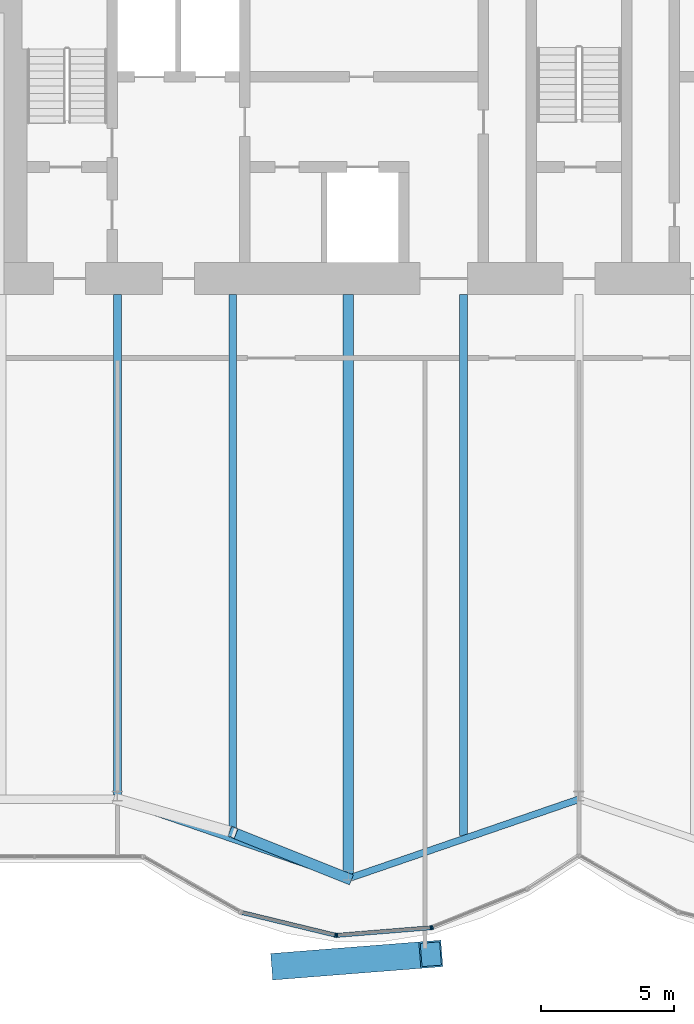
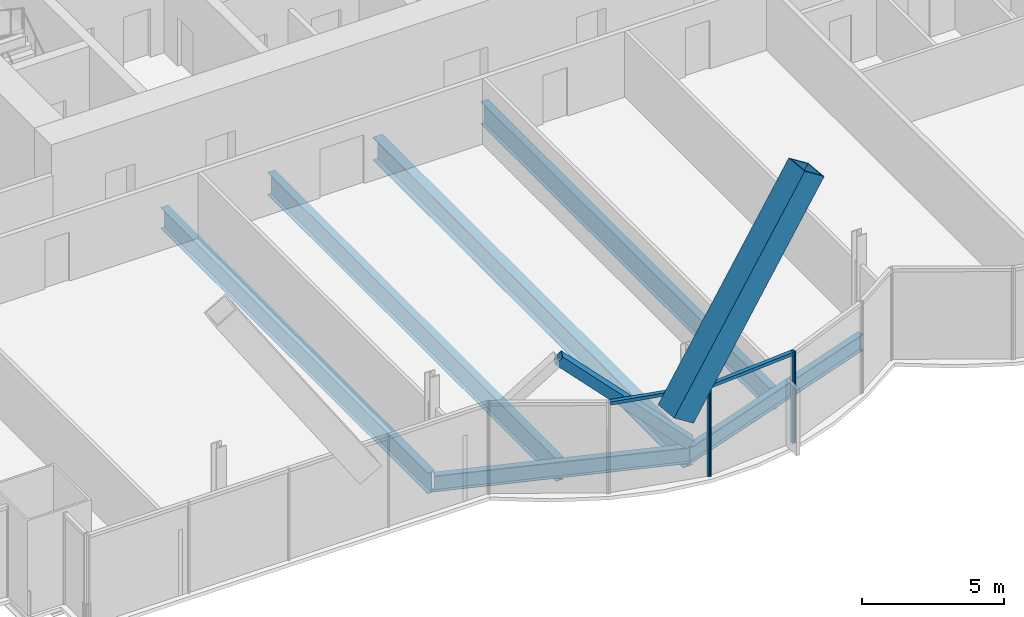
# One storey, part 6 of 22: 8 members, 6 beams, 1 element without a shape of its own.
"""IFC4 building model written with IfcOpenShell, lengths in metres."""

from ifc_helpers import new_model, si_unit, direction, frame, origin, origin_2d, place, context, subcontext, project, spatial, rectangle, hollow_rectangle, i_section, extrude, material, material_profile, profile_set, type_object, element, aggregate, save


model = new_model("IFC4")

# Units and contexts
model_context = context("Model", 3, precision=1e-05, world=origin(), true_north=direction((0.0, 1.0)))
body_context = subcontext(model_context, "Body", "Model", "MODEL_VIEW")
ifc_project = project(units=[si_unit("LENGTHUNIT", "METRE"), si_unit("AREAUNIT", "SQUARE_METRE"), si_unit("VOLUMEUNIT", "CUBIC_METRE"), si_unit("PLANEANGLEUNIT", "RADIAN"), si_unit("MASSUNIT", "GRAM", prefix="KILO")], contexts=[model_context])

# Site, building, storey
site_placement = place(None, origin())
site = spatial("IfcSite", under=ifc_project, at=site_placement, CompositionType="ELEMENT")
building_placement = place(site_placement, origin())
building = spatial("IfcBuilding", under=site, at=building_placement, Name="Bicima Exchange Tower", CompositionType="ELEMENT")
storey_placement = place(building_placement, frame((0.0, 0.0, 169.10009765625)))
storey = spatial("IfcBuildingStorey", under=building, at=storey_placement, Name="L37", CompositionType="ELEMENT", Elevation=169.10009765625)

# Member
ifc_material_1 = material(Name="Steel ASTM A572 Gr 50", Category="steel")
ifc_material_profile_1 = material_profile(ifc_material_1, hollow_rectangle(XDim=1.0, YDim=1.0, WallThickness=0.06005859375, at=origin_2d()))
ifc_profile_set_1 = profile_set([ifc_material_profile_1], Name="Steel ASTM A572 Gr 50")
member_type_1 = type_object("IfcMemberType", Name="Exo mega brace BOX 1000x1000x60", PredefinedType="BRACE", material=ifc_profile_set_1)
member_1_placement = place(storey_placement, frame((-11.166748046875, -38.319091796875, 4.066650390625), z_axis=(0.55229083796, 0.043468452485, 0.832517461645), x_axis=(-0.078463079856, 0.996917020167, 0.0)))
element("IfcMember", 1, at=member_1_placement, inside=storey, type_object=member_type_1, Name="Exo mega brace front", PredefinedType="BRACE", context=body_context, shape_type="SweptSolid", body=[
    extrude(hollow_rectangle(XDim=1.0, YDim=1.0, WallThickness=0.06005859375, at=origin_2d()), origin(), (0.0, 0.0, 1.0), 10.109619140625),
])

# Beams
ifc_material_2 = material(Name="Steel ASTM A992 Gr 50", Category="steel")
ifc_material_profile_2 = material_profile(ifc_material_2, i_section(OverallWidth=0.3046875, OverallDepth=0.904296875, WebThickness=0.01513671875, FlangeThickness=0.02001953125, at=origin_2d()))
ifc_profile_set_2 = profile_set([ifc_material_profile_2], Name="Steel ASTM A992 Gr 50")
beam_type_1 = type_object("IfcBeamType", Name="Floor beam W36x135", PredefinedType="JOIST", material=ifc_profile_set_2)
beam_1_placement = place(storey_placement, frame((-17.39990234375, -13.0, -0.602294921875), z_axis=(0.0, -1.0, 0.0), x_axis=(1.0, 0.0, 0.0)))
element("IfcBeam", 2, at=beam_1_placement, inside=storey, type_object=beam_type_1, Name="Floor beam", PredefinedType="JOIST", context=body_context, shape_type="SweptSolid", body=[
    extrude(i_section(OverallWidth=0.3046875, OverallDepth=0.904296875, WebThickness=0.01513671875, FlangeThickness=0.02001953125, at=origin_2d()), origin(), (0.0, 0.0, 1.0), 18.873291015625),
])
ifc_material_profile_3 = material_profile(ifc_material_2, i_section(OverallWidth=0.2998046875, OverallDepth=0.97021484375, WebThickness=0.01611328125, FlangeThickness=0.02099609375, at=origin_2d()))
ifc_profile_set_3 = profile_set([ifc_material_profile_3], Name="Steel ASTM A992 Gr 50")
beam_type_2 = type_object("IfcBeamType", Name="Floor beam W40x149", PredefinedType="JOIST", material=ifc_profile_set_3)
for number, where, z_axis, x_axis, name in (
    (3, (-13.050048828125, -13.0, -0.63525390625), (0.0, -1.0, 0.0), (1.0, 0.0, 0.0), "Floor beam"),
    (4, (-4.35009765625, -13.0, -0.63525390625), (0.0, -1.0, 0.0), (1.0, 0.0, 0.0), "Floor beam"),
):
    element("IfcBeam", number, at=place(storey_placement, frame(where, z_axis=z_axis, x_axis=x_axis)), inside=storey, type_object=beam_type_2, Name=name, PredefinedType="JOIST", context=body_context, shape_type="SweptSolid", body=[
        extrude(i_section(OverallWidth=0.2998046875, OverallDepth=0.97021484375, WebThickness=0.01611328125, FlangeThickness=0.02099609375, at=origin_2d()), origin(), (0.0, 0.0, 1.0), 20.39599609375),
    ])
ifc_material_profile_4 = material_profile(ifc_material_2, i_section(OverallWidth=0.4013671875, OverallDepth=0.990478515625, WebThickness=0.0166015625, FlangeThickness=0.031005859375, at=origin_2d()))
ifc_profile_set_4 = profile_set([ifc_material_profile_4], Name="Steel ASTM A992 Gr 50")
beam_type_3 = type_object("IfcBeamType", Name="Floor beam W40x215", PredefinedType="JOIST", material=ifc_profile_set_4)
beam_2_placement = place(storey_placement, frame((-8.699951171875, -13.0, -0.6455078125), z_axis=(0.0, -1.0, 0.0), x_axis=(1.0, 0.0, 0.0)))
element("IfcBeam", 5, at=beam_2_placement, inside=storey, type_object=beam_type_3, Name="Floor beam", PredefinedType="JOIST", context=body_context, shape_type="SweptSolid", body=[
    extrude(i_section(OverallWidth=0.4013671875, OverallDepth=0.990478515625, WebThickness=0.0166015625, FlangeThickness=0.031005859375, at=origin_2d()), origin(), (0.0, 0.0, 1.0), 21.891357421875),
])
ifc_material_profile_5 = material_profile(ifc_material_2, i_section(OverallWidth=0.256591796875, OverallDepth=0.693359375, WebThickness=0.014404296875, FlangeThickness=0.023681640625, at=origin_2d()))
ifc_profile_set_5 = profile_set([ifc_material_profile_5], Name="Steel ASTM A992 Gr 50")
beam_type_4 = type_object("IfcBeamType", Name="Front girder W27x114", PredefinedType="BEAM", material=ifc_profile_set_5)
for number, where, z_axis, x_axis, name in (
    (6, (-17.39990234375, -32.035888671875, -0.496826171875), (0.945666456746, -0.325138359143, 0.0), (0.325138359143, 0.945666456746, 0.0), "Front girder"),
    (7, (-8.699951171875, -35.027099609375, -0.496826171875), (0.945666456746, 0.325138359143, 0.0), (-0.325138359143, 0.945666456746, 0.0), "Front girder"),
):
    element("IfcBeam", number, at=place(storey_placement, frame(where, z_axis=z_axis, x_axis=x_axis)), inside=storey, type_object=beam_type_4, Name=name, PredefinedType="BEAM", context=body_context, shape_type="SweptSolid", body=[
        extrude(i_section(OverallWidth=0.256591796875, OverallDepth=0.693359375, WebThickness=0.014404296875, FlangeThickness=0.023681640625, at=origin_2d()), origin(), (0.0, 0.0, 1.0), 9.19970703125),
    ])

# Curtain wall, members
ifc_material_3 = material(Name="Anodised bronze aluminium", Category="aluminium")
curtain_wall_type = type_object("IfcCurtainWallType", Name="Front glass wall", PredefinedType="NOTDEFINED", material=ifc_material_3)
curtain_wall_placement = place(storey_placement, origin())
curtain_wall = element("IfcCurtainWall", 8, at=curtain_wall_placement, inside=storey, type_object=curtain_wall_type, Name="Front glass wall L37 run 6", PredefinedType="NOTDEFINED")
ifc_material_profile_6 = material_profile(ifc_material_3, rectangle(XDim=0.159912109375, YDim=0.06005859375, at=origin_2d()))
ifc_profile_set_6 = profile_set([ifc_material_profile_6], Name="Anodised bronze aluminium")
member_type_2 = type_object("IfcMemberType", Name="Front glass wall mullion 60 x 160", PredefinedType="MULLION", material=ifc_profile_set_6)
member_2_placement = place(storey_placement, frame((-9.177490234375, -37.161865234375, 0.0), z_axis=(0.0, 0.0, 1.0), x_axis=(0.235681529503, 0.971830343553, 0.0)))
member_2 = element("IfcMember", 9, at=member_2_placement, type_object=member_type_2, Name="Front glass wall mullion 2", PredefinedType="MULLION", context=body_context, shape_type="SweptSolid", body=[
    extrude(rectangle(XDim=0.159912109375, YDim=0.06005859375, at=origin_2d()), origin(), (0.0, 0.0, 1.0), 3.949951171875),
])
member_3_placement = place(storey_placement, frame((-9.118408203125, -37.16650390625, 0.0), z_axis=(0.0, 0.0, 1.0), x_axis=(-0.080588612633, 0.99674744821, 0.0)))
member_3 = element("IfcMember", 10, at=member_3_placement, type_object=member_type_2, Name="Front glass wall mullion 1", PredefinedType="MULLION", context=body_context, shape_type="SweptSolid", body=[
    extrude(rectangle(XDim=0.159912109375, YDim=0.06005859375, at=origin_2d()), origin(), (0.0, 0.0, 1.0), 3.949951171875),
])
member_4_placement = place(storey_placement, frame((-5.583984375, -36.880859375, 0.0), z_axis=(0.0, 0.0, 1.0), x_axis=(-0.080588612633, 0.99674744821, 0.0)))
member_4 = element("IfcMember", 11, at=member_4_placement, type_object=member_type_2, Name="Front glass wall mullion 2", PredefinedType="MULLION", context=body_context, shape_type="SweptSolid", body=[
    extrude(rectangle(XDim=0.159912109375, YDim=0.06005859375, at=origin_2d()), origin(), (0.0, 0.0, 1.0), 3.949951171875),
])
member_5_placement = place(storey_placement, frame((-5.526123046875, -36.8671875, 0.0), z_axis=(0.0, 0.0, 1.0), x_axis=(-0.374705304, 0.92714396679, 0.0)))
member_5 = element("IfcMember", 12, at=member_5_placement, type_object=member_type_2, Name="Front glass wall mullion 1", PredefinedType="MULLION", context=body_context, shape_type="SweptSolid", body=[
    extrude(rectangle(XDim=0.159912109375, YDim=0.06005859375, at=origin_2d()), origin(), (0.0, 0.0, 1.0), 3.949951171875),
])
ifc_material_profile_7 = material_profile(ifc_material_3, rectangle(XDim=0.159912109375, YDim=0.139892578125, at=origin_2d()))
ifc_profile_set_7 = profile_set([ifc_material_profile_7], Name="Anodised bronze aluminium")
member_type_3 = type_object("IfcMemberType", Name="Front glass wall transom 140 x 160", PredefinedType="USERDEFINED", material=ifc_profile_set_7)
member_6_placement = place(storey_placement, frame((-12.68896484375, -36.310302734375, 3.8798828125), z_axis=(0.971833557815, -0.235668275132, 0.0), x_axis=(0.235668275132, 0.971833557815, 0.0)))
member_6 = element("IfcMember", 13, at=member_6_placement, type_object=member_type_3, Name="Front glass wall transom 1.1", ObjectType="TRANSOM", PredefinedType="USERDEFINED", context=body_context, shape_type="SweptSolid", body=[
    extrude(rectangle(XDim=0.159912109375, YDim=0.139892578125, at=origin_2d()), origin(), (0.0, 0.0, 1.0), 3.583251953125),
])
member_7_placement = place(storey_placement, frame((-9.08837890625, -37.164306640625, 3.8798828125), z_axis=(0.9967456465, 0.080610893699, 0.0), x_axis=(-0.080610893699, 0.9967456465, 0.0)))
member_7 = element("IfcMember", 14, at=member_7_placement, type_object=member_type_3, Name="Front glass wall transom 1.1", ObjectType="TRANSOM", PredefinedType="USERDEFINED", context=body_context, shape_type="SweptSolid", body=[
    extrude(rectangle(XDim=0.159912109375, YDim=0.139892578125, at=origin_2d()), origin(), (0.0, 0.0, 1.0), 3.48583984375),
])
aggregate(curtain_wall, [member_2, member_6, member_3, member_4, member_7, member_5])

# Member
ifc_material_profile_8 = material_profile(ifc_material_1, hollow_rectangle(XDim=0.406494140625, YDim=0.406494140625, WallThickness=0.017822265625, at=origin_2d()))
ifc_profile_set_8 = profile_set([ifc_material_profile_8], Name="Steel ASTM A572 Gr 50")
member_type_4 = type_object("IfcMemberType", Name="Mega brace HSS16x16x3/4", PredefinedType="BRACE", material=ifc_profile_set_8)
member_8_placement = place(storey_placement, frame((-8.699951171875, -35.027099609375, 0.0), z_axis=(-0.698744239452, 0.279411421377, 0.658548210412), x_axis=(-0.371291842786, -0.928516218211, 0.0)))
element("IfcMember", 15, at=member_8_placement, inside=storey, type_object=member_type_4, Name="Mega brace front", PredefinedType="BRACE", context=body_context, shape_type="SweptSolid", body=[
    extrude(hollow_rectangle(XDim=0.406494140625, YDim=0.406494140625, WallThickness=0.017822265625, at=origin_2d()), origin(), (0.0, 0.0, 1.0), 6.2255859375),
])

save(model, "model.ifc")
